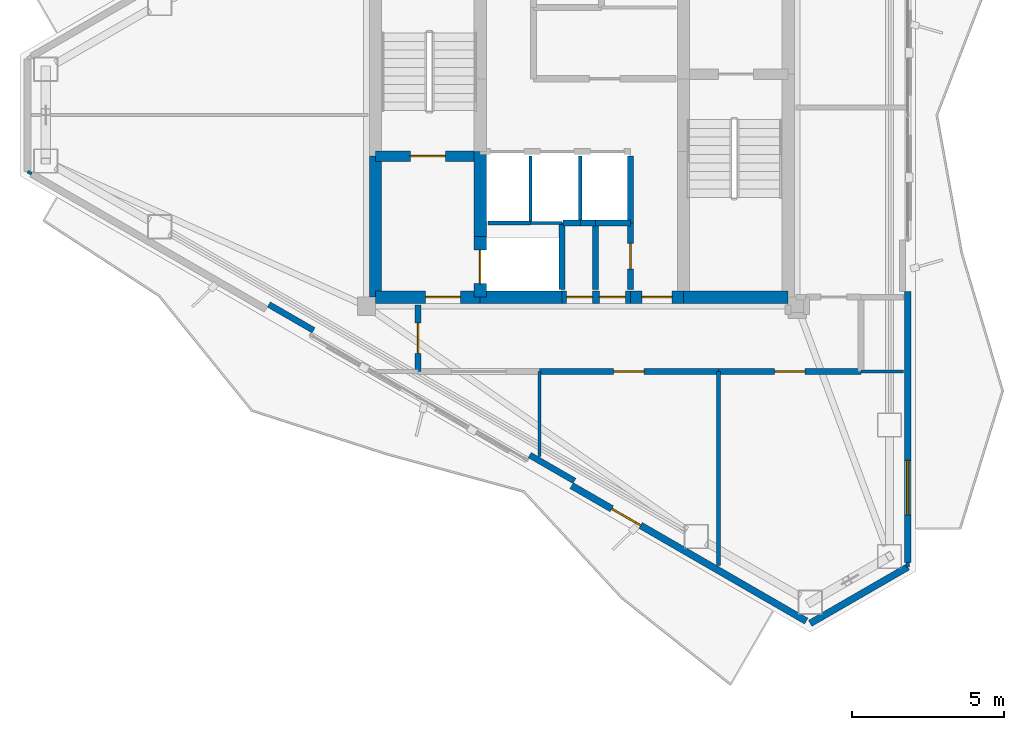
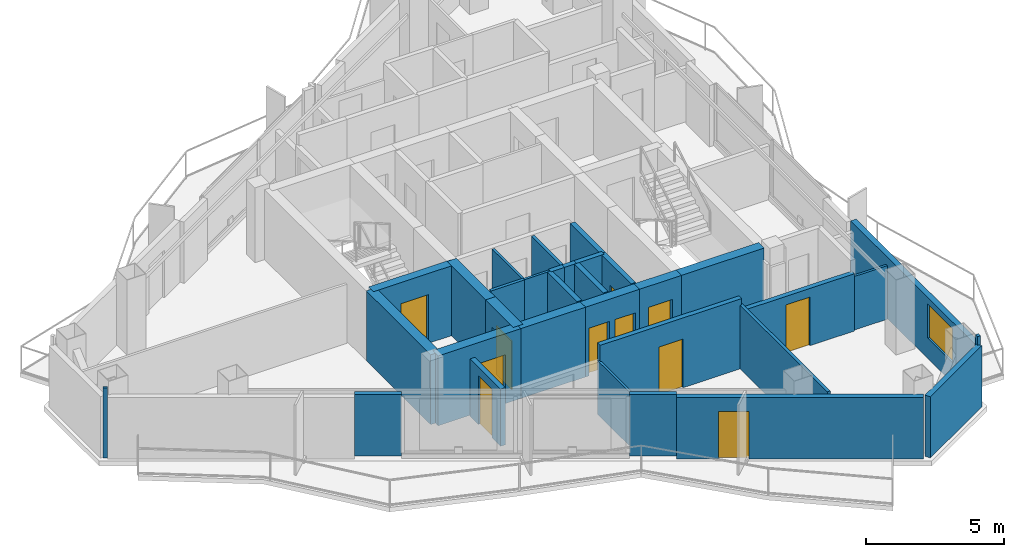
# One storey, part 14 of 18: 33 walls, 11 doors, 1 window, 12 openings.
"""IFC4 building model written with IfcOpenShell, lengths in metres."""

from ifc_helpers import new_model, si_unit, direction, frame, frame_2d, origin, place, context, subcontext, project, spatial, rectangle, extrude, material, layer, layer_set, type_object, element, fill, save


model = new_model("IFC4")

# Units and contexts
model_context = context("Model", 3, precision=1e-05, world=origin(), true_north=direction((0.0, 1.0)))
body_context = subcontext(model_context, "Body", "Model", "MODEL_VIEW")
ifc_project = project(units=[si_unit("LENGTHUNIT", "METRE"), si_unit("AREAUNIT", "SQUARE_METRE"), si_unit("VOLUMEUNIT", "CUBIC_METRE"), si_unit("PLANEANGLEUNIT", "RADIAN"), si_unit("MASSUNIT", "GRAM", prefix="KILO")], contexts=[model_context])

# Site, building, storey
site_placement = place(None, origin())
site = spatial("IfcSite", under=ifc_project, at=site_placement, CompositionType="ELEMENT")
building_placement = place(site_placement, origin())
building = spatial("IfcBuilding", under=site, at=building_placement, Name="Mersakhor Tower and Convention Hall", CompositionType="ELEMENT")
storey_placement = place(building_placement, frame((0.0, 0.0, 243.0)))
storey = spatial("IfcBuildingStorey", under=building, at=storey_placement, Name="L68", CompositionType="ELEMENT", Elevation=243.0)

# Wall
ifc_material_1 = material(Name="Precast concrete C40/50", Category="concrete")
ifc_layer_1 = layer(ifc_material_1, 0.22509765625)
ifc_layer_set_1 = layer_set([ifc_layer_1], Name="Precast concrete C40/50")
wall_type_1 = type_object("IfcWallType", Name="WL-EXT-225", PredefinedType="SOLIDWALL", material=ifc_layer_set_1)
wall_1_placement = place(storey_placement, frame((39.742919921875, 11.858154296875, 0.0), z_axis=(0.0, 0.0, 1.0), x_axis=(-0.866038962515, -0.499976514854, 0.0)))
element("IfcWall", 1, at=wall_1_placement, inside=storey, type_object=wall_type_1, Name="L68 Chamfer Braced Spandrel Wall C2", PredefinedType="SOLIDWALL", context=body_context, shape_type="SweptSolid", body=[
    extrude(rectangle(XDim=3.715576171875, YDim=0.22509765625, at=frame_2d((1.85791015625, 0.0))), origin(), (0.0, 0.0, 1.0), 2.699951171875),
])

# Wall, opening, window
wall_2_placement = place(storey_placement, frame((39.742919921875, 20.93603515625, 0.0), z_axis=(0.0, 0.0, 1.0), x_axis=(0.0, -1.0, 0.0)))
wall_2 = element("IfcWall", 2, at=wall_2_placement, inside=storey, type_object=wall_type_1, Name="L68 Exterior Facade Wall F2-B3", PredefinedType="SOLIDWALL", context=body_context, shape_type="SweptSolid", body=[
    extrude(rectangle(XDim=8.927734375, YDim=0.22509765625, at=frame_2d((4.4638671875, 0.0))), origin(), (0.0, 0.0, 1.0), 2.699951171875),
])
opening_1_placement = place(wall_2_placement, frame((5.56005859375, 0.0, 0.89990234375)))
opening_1 = element("IfcOpeningElement", 3, at=opening_1_placement, cuts=wall_2, Name="Opening W-03", PredefinedType="OPENING", context=body_context, shape_type="SweptSolid", body=[
    extrude(rectangle(XDim=1.800048828125, YDim=1.5, at=frame_2d((0.89990234375, 0.75))), frame((0.0, 0.12255859375, 0.0), z_axis=(0.0, -1.0, 0.0), x_axis=(1.0, 0.0, 0.0)), (0.0, 0.0, 1.0), 0.2451171875),
])
ifc_material_2 = material(Name="Dark solar low-E glazed aluminium window", Category="aluminium")
window_type = type_object("IfcWindowType", Name="WN-RES-180x150", PartitioningType="SINGLE_PANEL", PredefinedType="WINDOW", material=ifc_material_2)
window_placement = place(opening_1_placement, origin())
window = element("IfcWindow", 4, at=window_placement, inside=storey, type_object=window_type, Name="L68 Facade Punched Window F2-B3", OverallHeight=1.5, OverallWidth=1.800048828125, PartitioningType="SINGLE_PANEL", PredefinedType="WINDOW", context=body_context, shape_type="SweptSolid", body=[
    extrude(rectangle(XDim=1.800048828125, YDim=1.5, at=frame_2d((0.89990234375, 0.75))), frame((0.0, 0.030029296875, 0.0), z_axis=(0.0, -1.0, 0.0), x_axis=(1.0, 0.0, 0.0)), (0.0, 0.0, 1.0), 0.06005859375),
])
fill(opening_1, window)

# Wall, opening, door
wall_3_placement = place(storey_placement, frame((36.395263671875, 10.07568359375, 0.0), z_axis=(0.0, 0.0, 1.0), x_axis=(-0.866026655105, 0.499997832642, 0.0)))
wall_3 = element("IfcWall", 5, at=wall_3_placement, inside=storey, type_object=wall_type_1, Name="L68 Exterior Facade Wall F3-B1", PredefinedType="SOLIDWALL", context=body_context, shape_type="SweptSolid", body=[
    extrude(rectangle(XDim=8.927734375, YDim=0.22509765625, at=frame_2d((4.4638671875, 0.0))), origin(), (0.0, 0.0, 1.0), 2.699951171875),
])
opening_2_placement = place(wall_3_placement, frame((6.302001953125, 0.0, 0.0)))
opening_2 = element("IfcOpeningElement", 6, at=opening_2_placement, cuts=wall_3, Name="Opening BD-02", PredefinedType="OPENING", context=body_context, shape_type="SweptSolid", body=[
    extrude(rectangle(XDim=1.10009765625, YDim=2.10009765625, at=frame_2d((0.550048828125, 1.050048828125))), frame((0.0, 0.12255859375, 0.0), z_axis=(0.0, -1.0, 0.0), x_axis=(1.0, 0.0, 0.0)), (0.0, 0.0, 1.0), 0.2451171875),
])
ifc_material_3 = material(Name="Thermally broken dark aluminium and safety glass", Category="aluminium")
door_type_1 = type_object("IfcDoorType", Name="DR-BAL-110x210", OperationType="NOTDEFINED", PredefinedType="DOOR", material=ifc_material_3)
door_1_placement = place(opening_2_placement, origin())
door_1 = element("IfcDoor", 7, at=door_1_placement, inside=storey, type_object=door_type_1, Name="L68 Balcony Terrace Door F3-B1", OperationType="SINGLE_SWING_RIGHT", OverallHeight=2.10009765625, OverallWidth=1.10009765625, PredefinedType="DOOR", context=body_context, shape_type="SweptSolid", body=[
    extrude(rectangle(XDim=1.10009765625, YDim=2.10009765625, at=frame_2d((0.550048828125, 1.050048828125))), frame((0.0, 0.02490234375, 0.0), z_axis=(0.0, -1.0, 0.0), x_axis=(1.0, 0.0, 0.0)), (0.0, 0.0, 1.0), 0.050048828125),
])
fill(opening_2, door_1)

# Walls
ifc_material_4 = material(Name="Precast concrete C40/50", Category="concrete")
ifc_layer_2 = layer(ifc_material_4, 0.199951171875)
ifc_layer_set_2 = layer_set([ifc_layer_2], Name="Precast concrete C40/50")
wall_type_2 = type_object("IfcWallType", Name="WL-PAR-200", PredefinedType="PARAPET", material=ifc_layer_set_2)
for number, where, z_axis, x_axis, name in (
    (8, (28.753662109375, 14.6953125, 0.0), (0.0, 0.0, 1.0), (-0.866025371046, 0.500000056704, 0.0), "L68 Column Pier Cladding Wall F3-C1"),
    (9, (20.156005859375, 19.6591796875, 0.0), (0.0, 0.0, 1.0), (-0.866025371046, 0.500000056704, 0.0), "L68 Column Pier Cladding Wall F3-C2"),
):
    element("IfcWall", number, at=place(storey_placement, frame(where, z_axis=z_axis, x_axis=x_axis)), inside=storey, type_object=wall_type_2, Name=name, PredefinedType="PARAPET", context=body_context, shape_type="SweptSolid", body=[
        extrude(rectangle(XDim=1.7001953125, YDim=0.199951171875, at=frame_2d((0.85009765625, 0.0))), origin(), (0.0, 0.0, 1.0), 2.699951171875),
    ])
ifc_material_5 = material(Name="Lightweight gypsum partition", Category="other")
ifc_layer_3 = layer(ifc_material_5, 0.10009765625)
ifc_layer_set_3 = layer_set([ifc_layer_3], Name="Lightweight gypsum partition")
wall_type_3 = type_object("IfcWallType", Name="WL-PRT-100", PredefinedType="PARTITIONING", material=ifc_layer_set_3)
wall_4_placement = place(storey_placement, frame((27.300048828125, 23.199951171875, 0.0), z_axis=(0.0, 0.0, 1.0), x_axis=(1.0, 0.0, 0.0)))
element("IfcWall", 10, at=wall_4_placement, inside=storey, type_object=wall_type_3, Name="L68 Interior Partition Wall P-002", PredefinedType="PARTITIONING", context=body_context, shape_type="SweptSolid", body=[
    extrude(rectangle(XDim=1.050048828125, YDim=0.10009765625, at=frame_2d((0.52490234375, 0.0))), origin(), (0.0, 0.0, 1.0), 3.080078125),
])
wall_5_placement = place(storey_placement, frame((27.300048828125, 25.39990234375, 0.0), z_axis=(0.0, 0.0, 1.0), x_axis=(0.0, -1.0, 0.0)))
element("IfcWall", 11, at=wall_5_placement, inside=storey, type_object=wall_type_3, Name="L68 Interior Partition Wall P-006", PredefinedType="PARTITIONING", context=body_context, shape_type="SweptSolid", body=[
    extrude(rectangle(XDim=2.199951171875, YDim=0.10009765625, at=frame_2d((1.10009765625, 0.0))), origin(), (0.0, 0.0, 1.0), 3.080078125),
])
wall_6_placement = place(storey_placement, frame((27.60009765625, 18.300048828125, 0.0), z_axis=(0.0, 0.0, 1.0), x_axis=(0.0, -1.0, 0.0)))
element("IfcWall", 12, at=wall_6_placement, inside=storey, type_object=wall_type_3, Name="L68 Interior Partition Wall P-056", PredefinedType="PARTITIONING", context=body_context, shape_type="SweptSolid", body=[
    extrude(rectangle(XDim=2.79541015625, YDim=0.10009765625, at=frame_2d((1.397705078125, 0.0))), origin(), (0.0, 0.0, 1.0), 2.364990234375),
])
wall_7_placement = place(storey_placement, frame((38.199951171875, 18.300048828125, 0.0), z_axis=(0.0, 0.0, 1.0), x_axis=(1.0, 0.0, 0.0)))
element("IfcWall", 13, at=wall_7_placement, inside=storey, type_object=wall_type_3, Name="L68 Interior Partition Wall P-058", PredefinedType="PARTITIONING", context=body_context, shape_type="SweptSolid", body=[
    extrude(rectangle(XDim=1.40625, YDim=0.10009765625, at=frame_2d((0.703125, 0.0))), origin(), (0.0, 0.0, 1.0), 2.364990234375),
])
wall_8_placement = place(storey_placement, frame((10.86181640625, 24.817138671875, 0.0), z_axis=(0.0, 0.0, 1.0), x_axis=(-0.866131372301, 0.499816412211, 0.0)))
element("IfcWall", 14, at=wall_8_placement, inside=storey, type_object=wall_type_3, Name="L68 Interior Partition Wall P-062", PredefinedType="PARTITIONING", context=body_context, shape_type="SweptSolid", body=[
    extrude(rectangle(XDim=0.14990234375, YDim=0.10009765625, at=frame_2d((0.074951171875, 0.0))), origin(), (0.0, 0.0, 1.0), 3.080078125),
])
ifc_material_6 = material(Name="Gypsum board acoustic partition", Category="other")
ifc_layer_4 = layer(ifc_material_6, 0.125)
ifc_layer_set_4 = layer_set([ifc_layer_4], Name="Gypsum board acoustic partition")
wall_type_4 = type_object("IfcWallType", Name="WL-PRT-125", PredefinedType="PARTITIONING", material=ifc_layer_set_4)
wall_9_placement = place(storey_placement, frame((25.89990234375, 23.199951171875, 0.0), z_axis=(0.0, 0.0, 1.0), x_axis=(1.0, 0.0, 0.0)))
element("IfcWall", 15, at=wall_9_placement, inside=storey, type_object=wall_type_4, Name="L68 Interior Partition Wall P-001", PredefinedType="PARTITIONING", context=body_context, shape_type="SweptSolid", body=[
    extrude(rectangle(XDim=1.400146484375, YDim=0.125, at=frame_2d((0.7001953125, 0.0))), origin(), (0.0, 0.0, 1.0), 3.080078125),
])
wall_10_placement = place(storey_placement, frame((28.949951171875, 25.39990234375, 0.0), z_axis=(0.0, 0.0, 1.0), x_axis=(0.0, -1.0, 0.0)))
element("IfcWall", 16, at=wall_10_placement, inside=storey, type_object=wall_type_4, Name="L68 Interior Partition Wall P-007", PredefinedType="PARTITIONING", context=body_context, shape_type="SweptSolid", body=[
    extrude(rectangle(XDim=2.199951171875, YDim=0.125, at=frame_2d((1.10009765625, 0.0))), origin(), (0.0, 0.0, 1.0), 3.080078125),
])
wall_11_placement = place(storey_placement, frame((33.5, 18.300048828125, 0.0), z_axis=(0.0, 0.0, 1.0), x_axis=(0.0, -1.0, 0.0)))
element("IfcWall", 17, at=wall_11_placement, inside=storey, type_object=wall_type_4, Name="L68 Interior Partition Wall P-057", PredefinedType="PARTITIONING", context=body_context, shape_type="SweptSolid", body=[
    extrude(rectangle(XDim=6.395263671875, YDim=0.125, at=frame_2d((3.19775390625, 0.0))), origin(), (0.0, 0.0, 1.0), 2.8046875),
])
wall_12_placement = place(storey_placement, frame((39.742919921875, 12.00830078125, 0.0), z_axis=(0.0, 0.0, 1.0), x_axis=(0.0, -1.0, 0.0)))
element("IfcWall", 18, at=wall_12_placement, inside=storey, type_object=wall_type_4, Name="L68 Interior Partition Wall P-059", PredefinedType="PARTITIONING", context=body_context, shape_type="SweptSolid", body=[
    extrude(rectangle(XDim=0.150390625, YDim=0.125, at=frame_2d((0.0751953125, 0.0))), origin(), (0.0, 0.0, 1.0), 3.080078125),
])
ifc_material_7 = material(Name="Acoustic concrete blockwork and gypsum board", Category="masonry")
ifc_layer_5 = layer(ifc_material_7, 0.199951171875)
ifc_layer_set_5 = layer_set([ifc_layer_5], Name="Acoustic concrete blockwork and gypsum board")
wall_type_5 = type_object("IfcWallType", Name="WL-PRT-200", PredefinedType="PARTITIONING", material=ifc_layer_set_5)
wall_13_placement = place(storey_placement, frame((28.35009765625, 23.199951171875, 0.0), z_axis=(0.0, 0.0, 1.0), x_axis=(0.0, -1.0, 0.0)))
element("IfcWall", 19, at=wall_13_placement, inside=storey, type_object=wall_type_5, Name="L68 Interior Partition Wall P-003", PredefinedType="PARTITIONING", context=body_context, shape_type="SweptSolid", body=[
    extrude(rectangle(XDim=2.199951171875, YDim=0.199951171875, at=frame_2d((1.10009765625, 0.0))), origin(), (0.0, 0.0, 1.0), 3.080078125),
])
wall_14_placement = place(storey_placement, frame((28.949951171875, 23.199951171875, 0.0), z_axis=(0.0, 0.0, 1.0), x_axis=(-1.0, 0.0, 0.0)))
element("IfcWall", 20, at=wall_14_placement, inside=storey, type_object=wall_type_5, Name="L68 Interior Partition Wall P-008", PredefinedType="PARTITIONING", context=body_context, shape_type="SweptSolid", body=[
    extrude(rectangle(XDim=0.570068359375, YDim=0.199951171875, at=frame_2d((0.28515625, 0.0))), origin(), (0.0, 0.0, 1.0), 3.080078125),
])
wall_15_placement = place(storey_placement, frame((30.60009765625, 25.39990234375, 0.0), z_axis=(0.0, 0.0, 1.0), x_axis=(0.0, -1.0, 0.0)))
element("IfcWall", 21, at=wall_15_placement, inside=storey, type_object=wall_type_5, Name="L68 Interior Partition Wall P-009", PredefinedType="PARTITIONING", context=body_context, shape_type="SweptSolid", body=[
    extrude(rectangle(XDim=2.199951171875, YDim=0.199951171875, at=frame_2d((1.10009765625, 0.0))), origin(), (0.0, 0.0, 1.0), 3.080078125),
])
wall_16_placement = place(storey_placement, frame((30.60009765625, 23.199951171875, 0.0), z_axis=(0.0, 0.0, 1.0), x_axis=(-1.0, 0.0, 0.0)))
element("IfcWall", 22, at=wall_16_placement, inside=storey, type_object=wall_type_5, Name="L68 Interior Partition Wall P-010", PredefinedType="PARTITIONING", context=body_context, shape_type="SweptSolid", body=[
    extrude(rectangle(XDim=1.150146484375, YDim=0.199951171875, at=frame_2d((0.5751953125, 0.0))), origin(), (0.0, 0.0, 1.0), 3.080078125),
])
wall_17_placement = place(storey_placement, frame((29.449951171875, 23.199951171875, 0.0), z_axis=(0.0, 0.0, 1.0), x_axis=(-1.0, 0.0, 0.0)))
element("IfcWall", 23, at=wall_17_placement, inside=storey, type_object=wall_type_5, Name="L68 Interior Partition Wall P-011", PredefinedType="PARTITIONING", context=body_context, shape_type="SweptSolid", body=[
    extrude(rectangle(XDim=0.5, YDim=0.199951171875, at=frame_2d((0.25, 0.0))), origin(), (0.0, 0.0, 1.0), 3.080078125),
])

# Wall, opening, door
wall_18_placement = place(storey_placement, frame((30.60009765625, 21.0, 0.0), z_axis=(0.0, 0.0, 1.0), x_axis=(0.0, 1.0, 0.0)))
wall_18 = element("IfcWall", 24, at=wall_18_placement, inside=storey, type_object=wall_type_5, Name="L68 Interior Partition Wall P-012", PredefinedType="PARTITIONING", context=body_context, shape_type="SweptSolid", body=[
    extrude(rectangle(XDim=2.199951171875, YDim=0.199951171875, at=frame_2d((1.10009765625, 0.0))), origin(), (0.0, 0.0, 1.0), 3.080078125),
])
opening_3_placement = place(wall_18_placement, frame((0.675048828125, 0.0, 0.0)))
opening_3 = element("IfcOpeningElement", 25, at=opening_3_placement, cuts=wall_18, Name="Opening SVD-01", PredefinedType="OPENING", context=body_context, shape_type="SweptSolid", body=[
    extrude(rectangle(XDim=0.85009765625, YDim=2.10009765625, at=frame_2d((0.425048828125, 1.050048828125))), frame((0.0, 0.10986328125, 0.0), z_axis=(0.0, -1.0, 0.0), x_axis=(1.0, 0.0, 0.0)), (0.0, 0.0, 1.0), 0.219970703125),
])
ifc_material_8 = material(Name="Fire-rated hardwood leaf and painted steel frame", Category="steel")
door_type_2 = type_object("IfcDoorType", Name="DR-INT-SVC-085x210", OperationType="NOTDEFINED", PredefinedType="DOOR", material=ifc_material_8)
door_2_placement = place(opening_3_placement, origin())
door_2 = element("IfcDoor", 26, at=door_2_placement, inside=storey, type_object=door_type_2, Name="L68 Central Passenger Lift Lobby to Core Maintenance Store Room Door", OperationType="SINGLE_SWING_RIGHT", OverallHeight=2.10009765625, OverallWidth=0.85009765625, PredefinedType="DOOR", context=body_context, shape_type="SweptSolid", body=[
    extrude(rectangle(XDim=0.85009765625, YDim=2.10009765625, at=frame_2d((0.425048828125, 1.050048828125))), frame((0.0, 0.02490234375, 0.0), z_axis=(0.0, -1.0, 0.0), x_axis=(1.0, 0.0, 0.0)), (0.0, 0.0, 1.0), 0.050048828125),
])
fill(opening_3, door_2)

wall_19_placement = place(storey_placement, frame((38.199951171875, 18.300048828125, 0.0), z_axis=(0.0, 0.0, 1.0), x_axis=(-1.0, 0.0, 0.0)))
wall_19 = element("IfcWall", 27, at=wall_19_placement, inside=storey, type_object=wall_type_5, Name="L68 Interior Partition Wall P-031", PredefinedType="PARTITIONING", context=body_context, shape_type="SweptSolid", body=[
    extrude(rectangle(XDim=4.699951171875, YDim=0.199951171875, at=frame_2d((2.35009765625, 0.0))), origin(), (0.0, 0.0, 1.0), 2.5283203125),
])
opening_4_placement = place(wall_19_placement, frame((1.85009765625, 0.0, 0.0)))
opening_4 = element("IfcOpeningElement", 28, at=opening_4_placement, cuts=wall_19, Name="Opening FD-01", PredefinedType="OPENING", context=body_context, shape_type="SweptSolid", body=[
    extrude(rectangle(XDim=1.0, YDim=2.14990234375, at=frame_2d((0.5, 1.074951171875))), frame((0.0, 0.10986328125, 0.0), z_axis=(0.0, -1.0, 0.0), x_axis=(1.0, 0.0, 0.0)), (0.0, 0.0, 1.0), 0.219970703125),
])
ifc_material_9 = material(Name="Fire-rated hardwood leaf and painted steel frame", Category="steel")
door_type_3 = type_object("IfcDoorType", Name="DR-INT-FLT-100x215", OperationType="NOTDEFINED", PredefinedType="DOOR", material=ifc_material_9)
door_3_placement = place(opening_4_placement, origin())
door_3 = element("IfcDoor", 29, at=door_3_placement, inside=storey, type_object=door_type_3, Name="L68 Residential South Gallery Corridor to L68 South-East Co-Working Office Door", OperationType="SINGLE_SWING_LEFT", OverallHeight=2.14990234375, OverallWidth=1.0, PredefinedType="DOOR", context=body_context, shape_type="SweptSolid", body=[
    extrude(rectangle(XDim=1.0, YDim=2.14990234375, at=frame_2d((0.5, 1.074951171875))), frame((0.0, 0.02490234375, 0.0), z_axis=(0.0, -1.0, 0.0), x_axis=(1.0, 0.0, 0.0)), (0.0, 0.0, 1.0), 0.050048828125),
])
fill(opening_4, door_3)

wall_20_placement = place(storey_placement, frame((33.5, 18.300048828125, 0.0), z_axis=(0.0, 0.0, 1.0), x_axis=(-1.0, 0.0, 0.0)))
wall_20 = element("IfcWall", 30, at=wall_20_placement, inside=storey, type_object=wall_type_5, Name="L68 Interior Partition Wall P-032", PredefinedType="PARTITIONING", context=body_context, shape_type="SweptSolid", body=[
    extrude(rectangle(XDim=5.89990234375, YDim=0.199951171875, at=frame_2d((2.949951171875, 0.0))), origin(), (0.0, 0.0, 1.0), 3.080078125),
])
opening_5_placement = place(wall_20_placement, frame((2.449951171875, 0.0, 0.0)))
opening_5 = element("IfcOpeningElement", 31, at=opening_5_placement, cuts=wall_20, Name="Opening FD-01", PredefinedType="OPENING", context=body_context, shape_type="SweptSolid", body=[
    extrude(rectangle(XDim=1.0, YDim=2.14990234375, at=frame_2d((0.5, 1.074951171875))), frame((0.0, 0.10986328125, 0.0), z_axis=(0.0, -1.0, 0.0), x_axis=(1.0, 0.0, 0.0)), (0.0, 0.0, 1.0), 0.219970703125),
])
door_4_placement = place(opening_5_placement, origin())
door_4 = element("IfcDoor", 32, at=door_4_placement, inside=storey, type_object=door_type_3, Name="L68 Residential South Gallery Corridor to L68 South Crown Ceramics Teaching Studio Door", OperationType="SINGLE_SWING_RIGHT", OverallHeight=2.14990234375, OverallWidth=1.0, PredefinedType="DOOR", context=body_context, shape_type="SweptSolid", body=[
    extrude(rectangle(XDim=1.0, YDim=2.14990234375, at=frame_2d((0.5, 1.074951171875))), frame((0.0, 0.02490234375, 0.0), z_axis=(0.0, -1.0, 0.0), x_axis=(1.0, 0.0, 0.0)), (0.0, 0.0, 1.0), 0.050048828125),
])
fill(opening_5, door_4)

wall_21_placement = place(storey_placement, frame((23.60009765625, 18.300048828125, 0.0), z_axis=(0.0, 0.0, 1.0), x_axis=(0.0, 1.0, 0.0)))
wall_21 = element("IfcWall", 33, at=wall_21_placement, inside=storey, type_object=wall_type_5, Name="L68 Interior Partition Wall P-034", PredefinedType="PARTITIONING", context=body_context, shape_type="SweptSolid", body=[
    extrude(rectangle(XDim=2.199951171875, YDim=0.199951171875, at=frame_2d((1.10009765625, 0.0))), origin(), (0.0, 0.0, 1.0), 2.5283203125),
])
opening_6_placement = place(wall_21_placement, frame((0.60009765625, 0.0, 0.0)))
opening_6 = element("IfcOpeningElement", 34, at=opening_6_placement, cuts=wall_21, Name="Opening FD-01", PredefinedType="OPENING", context=body_context, shape_type="SweptSolid", body=[
    extrude(rectangle(XDim=1.0, YDim=2.14990234375, at=frame_2d((0.5, 1.074951171875))), frame((0.0, 0.10986328125, 0.0), z_axis=(0.0, -1.0, 0.0), x_axis=(1.0, 0.0, 0.0)), (0.0, 0.0, 1.0), 0.219970703125),
])
door_5_placement = place(opening_6_placement, origin())
door_5 = element("IfcDoor", 35, at=door_5_placement, inside=storey, type_object=door_type_3, Name="L68 Residential South Gallery Corridor to L68 West Crown Quiet Dining Lounge Door", OperationType="SINGLE_SWING_RIGHT", OverallHeight=2.14990234375, OverallWidth=1.0, PredefinedType="DOOR", context=body_context, shape_type="SweptSolid", body=[
    extrude(rectangle(XDim=1.0, YDim=2.14990234375, at=frame_2d((0.5, 1.074951171875))), frame((0.0, 0.02490234375, 0.0), z_axis=(0.0, -1.0, 0.0), x_axis=(1.0, 0.0, 0.0)), (0.0, 0.0, 1.0), 0.050048828125),
])
fill(opening_6, door_5)

# Wall
wall_22_placement = place(storey_placement, frame((29.449951171875, 23.199951171875, 0.0), z_axis=(0.0, 0.0, 1.0), x_axis=(0.0, -1.0, 0.0)))
element("IfcWall", 36, at=wall_22_placement, inside=storey, type_object=wall_type_5, Name="L68 Interior Partition Wall P-052", PredefinedType="PARTITIONING", context=body_context, shape_type="SweptSolid", body=[
    extrude(rectangle(XDim=2.199951171875, YDim=0.199951171875, at=frame_2d((1.10009765625, 0.0))), origin(), (0.0, 0.0, 1.0), 3.080078125),
])

# Wall, opening, door
ifc_material_10 = material(Name="Concrete C50/60", Category="concrete")
ifc_layer_6 = layer(ifc_material_10, 0.35009765625)
ifc_layer_set_6 = layer_set([ifc_layer_6], Name="Concrete C50/60")
wall_type_6 = type_object("IfcWallType", Name="WL-SHR-350", PredefinedType="SHEAR", material=ifc_layer_set_6)
wall_23_placement = place(storey_placement, frame((22.199951171875, 25.39990234375, 0.0), z_axis=(0.0, 0.0, 1.0), x_axis=(1.0, 0.0, 0.0)))
wall_23 = element("IfcWall", 37, at=wall_23_placement, inside=storey, type_object=wall_type_6, Name="L68 Core Wall CS-ST1-S", PredefinedType="SHEAR", context=body_context, shape_type="SweptSolid", body=[
    extrude(rectangle(XDim=3.449951171875, YDim=0.35009765625, at=frame_2d((1.72509765625, 0.0))), origin(), (0.0, 0.0, 1.0), 3.080078125),
])
opening_7_placement = place(wall_23_placement, frame((1.14990234375, 0.0, 0.0)))
opening_7 = element("IfcOpeningElement", 38, at=opening_7_placement, cuts=wall_23, Name="Opening SD-01", PredefinedType="OPENING", context=body_context, shape_type="SweptSolid", body=[
    extrude(rectangle(XDim=1.14990234375, YDim=2.14990234375, at=frame_2d((0.574951171875, 1.074951171875))), frame((0.0, 0.18505859375, 0.0), z_axis=(0.0, -1.0, 0.0), x_axis=(1.0, 0.0, 0.0)), (0.0, 0.0, 1.0), 0.3701171875),
])
ifc_material_11 = material(Name="Fire-rated hardwood leaf and painted steel frame", Category="steel")
door_type_4 = type_object("IfcDoorType", Name="DR-INT-STAIR-115x215", OperationType="NOTDEFINED", PredefinedType="DOOR", material=ifc_material_11)
door_6_placement = place(opening_7_placement, origin())
door_6 = element("IfcDoor", 39, at=door_6_placement, inside=storey, type_object=door_type_4, Name="L68 Exit Stair ST-1 Enclosure Door", OperationType="SINGLE_SWING_LEFT", OverallHeight=2.14990234375, OverallWidth=1.14990234375, PredefinedType="DOOR", context=body_context, shape_type="SweptSolid", body=[
    extrude(rectangle(XDim=1.14990234375, YDim=2.14990234375, at=frame_2d((0.574951171875, 1.074951171875))), frame((0.0, 0.02490234375, 0.0), z_axis=(0.0, -1.0, 0.0), x_axis=(1.0, 0.0, 0.0)), (0.0, 0.0, 1.0), 0.050048828125),
])
fill(opening_7, door_6)

# Walls
ifc_material_12 = material(Name="Concrete C60/75", Category="concrete")
ifc_layer_7 = layer(ifc_material_12, 0.39990234375)
ifc_layer_set_7 = layer_set([ifc_layer_7], Name="Concrete C60/75")
wall_type_7 = type_object("IfcWallType", Name="WL-SHR-400", PredefinedType="SHEAR", material=ifc_layer_set_7)
wall_24_placement = place(storey_placement, frame((22.199951171875, 20.75, 0.0), z_axis=(0.0, 0.0, 1.0), x_axis=(0.0, 1.0, 0.0)))
element("IfcWall", 40, at=wall_24_placement, inside=storey, type_object=wall_type_7, Name="L68 Core Wall CW-W1", PredefinedType="SHEAR", context=body_context, shape_type="SweptSolid", body=[
    extrude(rectangle(XDim=4.64990234375, YDim=0.39990234375, at=frame_2d((2.324951171875, 0.0))), origin(), (0.0, 0.0, 1.0), 3.080078125),
])
wall_25_placement = place(storey_placement, frame((35.800048828125, 20.75, 0.0), z_axis=(0.0, 0.0, 1.0), x_axis=(-1.0, 0.0, 0.0)))
element("IfcWall", 41, at=wall_25_placement, inside=storey, type_object=wall_type_7, Name="L68 Core Wall CW-S1", PredefinedType="SHEAR", context=body_context, shape_type="SweptSolid", body=[
    extrude(rectangle(XDim=3.449951171875, YDim=0.39990234375, at=frame_2d((1.72509765625, 0.0))), origin(), (0.0, 0.0, 1.0), 3.080078125),
])

# Wall, opening, door
wall_26_placement = place(storey_placement, frame((32.35009765625, 20.75, 0.0), z_axis=(0.0, 0.0, 1.0), x_axis=(-1.0, 0.0, 0.0)))
wall_26 = element("IfcWall", 42, at=wall_26_placement, inside=storey, type_object=wall_type_7, Name="L68 Core Wall CW-S2A", PredefinedType="SHEAR", context=body_context, shape_type="SweptSolid", body=[
    extrude(rectangle(XDim=1.75, YDim=0.39990234375, at=frame_2d((0.875, 0.0))), origin(), (0.0, 0.0, 1.0), 3.080078125),
])
opening_8_placement = place(wall_26_placement, frame((0.375, 0.0, 0.0)))
opening_8 = element("IfcOpeningElement", 43, at=opening_8_placement, cuts=wall_26, Name="Opening CFD-01", PredefinedType="OPENING", context=body_context, shape_type="SweptSolid", body=[
    extrude(rectangle(XDim=1.0, YDim=2.14990234375, at=frame_2d((0.5, 1.074951171875))), frame((0.0, 0.2099609375, 0.0), z_axis=(0.0, -1.0, 0.0), x_axis=(1.0, 0.0, 0.0)), (0.0, 0.0, 1.0), 0.419921875),
])
ifc_material_13 = material(Name="Fire-rated hardwood leaf and painted steel frame", Category="steel")
door_type_5 = type_object("IfcDoorType", Name="DR-CORE-FD-100x215", OperationType="NOTDEFINED", PredefinedType="DOOR", material=ifc_material_13)
door_7_placement = place(opening_8_placement, origin())
door_7 = element("IfcDoor", 44, at=door_7_placement, inside=storey, type_object=door_type_5, Name="L68 Lift Lobby South Corridor Door", OperationType="SINGLE_SWING_RIGHT", OverallHeight=2.14990234375, OverallWidth=1.0, PredefinedType="DOOR", context=body_context, shape_type="SweptSolid", body=[
    extrude(rectangle(XDim=1.0, YDim=2.14990234375, at=frame_2d((0.5, 1.074951171875))), frame((0.0, 0.02490234375, 0.0), z_axis=(0.0, -1.0, 0.0), x_axis=(1.0, 0.0, 0.0)), (0.0, 0.0, 1.0), 0.050048828125),
])
fill(opening_8, door_7)

# Wall, openings, doors
wall_27_placement = place(storey_placement, frame((30.60009765625, 20.75, 0.0), z_axis=(0.0, 0.0, 1.0), x_axis=(-1.0, 0.0, 0.0)))
wall_27 = element("IfcWall", 45, at=wall_27_placement, inside=storey, type_object=wall_type_7, Name="L68 Core Wall CW-S2B", PredefinedType="SHEAR", context=body_context, shape_type="SweptSolid", body=[
    extrude(rectangle(XDim=2.25, YDim=0.39990234375, at=frame_2d((1.125, 0.0))), origin(), (0.0, 0.0, 1.0), 3.080078125),
])
opening_9_placement = place(wall_27_placement, frame((1.2548828125, 0.0, 0.0)))
opening_9 = element("IfcOpeningElement", 46, at=opening_9_placement, cuts=wall_27, Name="Opening SVD-01", PredefinedType="OPENING", context=body_context, shape_type="SweptSolid", body=[
    extrude(rectangle(XDim=0.85009765625, YDim=2.10009765625, at=frame_2d((0.425048828125, 1.050048828125))), frame((0.0, 0.2099609375, 0.0), z_axis=(0.0, -1.0, 0.0), x_axis=(1.0, 0.0, 0.0)), (0.0, 0.0, 1.0), 0.419921875),
])
opening_10_placement = place(wall_27_placement, frame((0.169921875, 0.0, 0.0)))
opening_10 = element("IfcOpeningElement", 47, at=opening_10_placement, cuts=wall_27, Name="Opening SVD-01", PredefinedType="OPENING", context=body_context, shape_type="SweptSolid", body=[
    extrude(rectangle(XDim=0.85009765625, YDim=2.10009765625, at=frame_2d((0.425048828125, 1.050048828125))), frame((0.0, 0.2099609375, 0.0), z_axis=(0.0, -1.0, 0.0), x_axis=(1.0, 0.0, 0.0)), (0.0, 0.0, 1.0), 0.419921875),
])
door_8_placement = place(opening_9_placement, origin())
door_8 = element("IfcDoor", 48, at=door_8_placement, inside=storey, type_object=door_type_2, Name="L68 Residential South Gallery Corridor to Sub-Metering Switch Room Door", OperationType="SINGLE_SWING_LEFT", OverallHeight=2.10009765625, OverallWidth=0.85009765625, PredefinedType="DOOR", context=body_context, shape_type="SweptSolid", body=[
    extrude(rectangle(XDim=0.85009765625, YDim=2.10009765625, at=frame_2d((0.425048828125, 1.050048828125))), frame((0.0, 0.02490234375, 0.0), z_axis=(0.0, -1.0, 0.0), x_axis=(1.0, 0.0, 0.0)), (0.0, 0.0, 1.0), 0.050048828125),
])
fill(opening_9, door_8)
door_9_placement = place(opening_10_placement, origin())
door_9 = element("IfcDoor", 49, at=door_9_placement, inside=storey, type_object=door_type_2, Name="L68 Residential South Gallery Corridor to Core Maintenance Store Room Door", OperationType="SINGLE_SWING_RIGHT", OverallHeight=2.10009765625, OverallWidth=0.85009765625, PredefinedType="DOOR", context=body_context, shape_type="SweptSolid", body=[
    extrude(rectangle(XDim=0.85009765625, YDim=2.10009765625, at=frame_2d((0.425048828125, 1.050048828125))), frame((0.0, 0.02490234375, 0.0), z_axis=(0.0, -1.0, 0.0), x_axis=(1.0, 0.0, 0.0)), (0.0, 0.0, 1.0), 0.050048828125),
])
fill(opening_10, door_9)

# Wall
wall_28_placement = place(storey_placement, frame((28.35009765625, 20.75, 0.0), z_axis=(0.0, 0.0, 1.0), x_axis=(-1.0, 0.0, 0.0)))
element("IfcWall", 50, at=wall_28_placement, inside=storey, type_object=wall_type_7, Name="L68 Core Wall CW-S3", PredefinedType="SHEAR", context=body_context, shape_type="SweptSolid", body=[
    extrude(rectangle(XDim=2.7001953125, YDim=0.39990234375, at=frame_2d((1.35009765625, 0.0))), origin(), (0.0, 0.0, 1.0), 3.080078125),
])

# Wall, opening, door
wall_29_placement = place(storey_placement, frame((25.64990234375, 20.75, 0.0), z_axis=(0.0, 0.0, 1.0), x_axis=(-1.0, 0.0, 0.0)))
wall_29 = element("IfcWall", 51, at=wall_29_placement, inside=storey, type_object=wall_type_7, Name="L68 Core Wall CW-S4", PredefinedType="SHEAR", context=body_context, shape_type="SweptSolid", body=[
    extrude(rectangle(XDim=3.449951171875, YDim=0.39990234375, at=frame_2d((1.72509765625, 0.0))), origin(), (0.0, 0.0, 1.0), 3.080078125),
])
opening_11_placement = place(wall_29_placement, frame((0.64990234375, 0.0, 0.0)))
opening_11 = element("IfcOpeningElement", 52, at=opening_11_placement, cuts=wall_29, Name="Opening SD-01", PredefinedType="OPENING", context=body_context, shape_type="SweptSolid", body=[
    extrude(rectangle(XDim=1.14990234375, YDim=2.14990234375, at=frame_2d((0.574951171875, 1.074951171875))), frame((0.0, 0.2099609375, 0.0), z_axis=(0.0, -1.0, 0.0), x_axis=(1.0, 0.0, 0.0)), (0.0, 0.0, 1.0), 0.419921875),
])
door_10_placement = place(opening_11_placement, origin())
door_10 = element("IfcDoor", 53, at=door_10_placement, inside=storey, type_object=door_type_4, Name="L68 Firefighting Lobby West Fire Door", OperationType="SINGLE_SWING_LEFT", OverallHeight=2.14990234375, OverallWidth=1.14990234375, PredefinedType="DOOR", context=body_context, shape_type="SweptSolid", body=[
    extrude(rectangle(XDim=1.14990234375, YDim=2.14990234375, at=frame_2d((0.574951171875, 1.074951171875))), frame((0.0, 0.02490234375, 0.0), z_axis=(0.0, -1.0, 0.0), x_axis=(1.0, 0.0, 0.0)), (0.0, 0.0, 1.0), 0.050048828125),
])
fill(opening_11, door_10)

wall_30_placement = place(storey_placement, frame((25.64990234375, 20.75, 0.0), z_axis=(0.0, 0.0, 1.0), x_axis=(0.0, 1.0, 0.0)))
wall_30 = element("IfcWall", 54, at=wall_30_placement, inside=storey, type_object=wall_type_7, Name="L68 Core Wall CS-W-FFL", PredefinedType="SHEAR", context=body_context, shape_type="SweptSolid", body=[
    extrude(rectangle(XDim=2.0, YDim=0.39990234375, at=frame_2d((1.0, 0.0))), origin(), (0.0, 0.0, 1.0), 3.080078125),
])
opening_12_placement = place(wall_30_placement, frame((0.449951171875, 0.0, 0.0)))
opening_12 = element("IfcOpeningElement", 55, at=opening_12_placement, cuts=wall_30, Name="Opening LD-FFL1", PredefinedType="OPENING", context=body_context, shape_type="SweptSolid", body=[
    extrude(rectangle(XDim=1.10009765625, YDim=2.14990234375, at=frame_2d((0.550048828125, 1.074951171875))), frame((0.0, 0.2099609375, 0.0), z_axis=(0.0, -1.0, 0.0), x_axis=(1.0, 0.0, 0.0)), (0.0, 0.0, 1.0), 0.419921875),
])
ifc_material_14 = material(Name="Fire-rated brushed stainless steel sliding landing door", Category="steel")
door_type_6 = type_object("IfcDoorType", Name="DR-LIFT-SLD-110x215", OperationType="NOTDEFINED", PredefinedType="DOOR", material=ifc_material_14)
door_11_placement = place(opening_12_placement, origin())
door_11 = element("IfcDoor", 56, at=door_11_placement, inside=storey, type_object=door_type_6, Name="L68 Firefighting Lift Landing Door LD-FFL1", OperationType="SLIDING_TO_LEFT", OverallHeight=2.14990234375, OverallWidth=1.10009765625, PredefinedType="DOOR", context=body_context, shape_type="SweptSolid", body=[
    extrude(rectangle(XDim=1.10009765625, YDim=2.14990234375, at=frame_2d((0.550048828125, 1.074951171875))), frame((0.0, 0.02490234375, 0.0), z_axis=(0.0, -1.0, 0.0), x_axis=(1.0, 0.0, 0.0)), (0.0, 0.0, 1.0), 0.050048828125),
])
fill(opening_12, door_11)

# Wall
wall_31_placement = place(storey_placement, frame((25.64990234375, 22.75, 0.0), z_axis=(0.0, 0.0, 1.0), x_axis=(0.0, 1.0, 0.0)))
element("IfcWall", 57, at=wall_31_placement, inside=storey, type_object=wall_type_7, Name="L68 Core Wall CS-W-MID", PredefinedType="SHEAR", context=body_context, shape_type="SweptSolid", body=[
    extrude(rectangle(XDim=2.800048828125, YDim=0.39990234375, at=frame_2d((1.39990234375, 0.0))), origin(), (0.0, 0.0, 1.0), 3.080078125),
])

save(model, "model.ifc")
